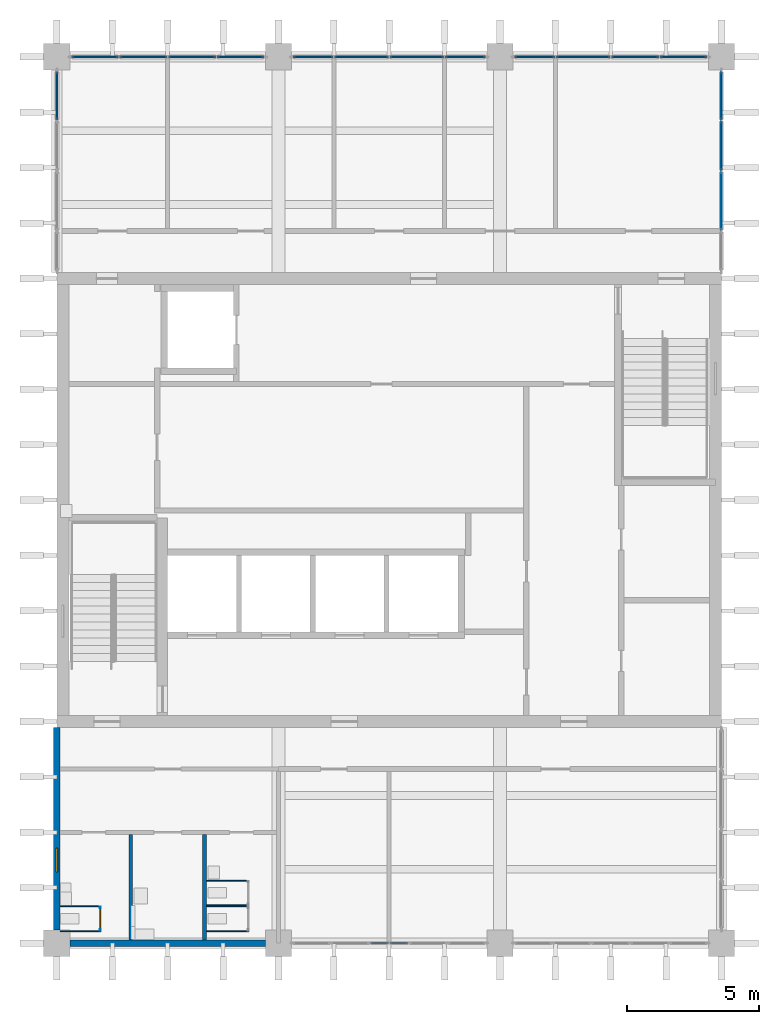
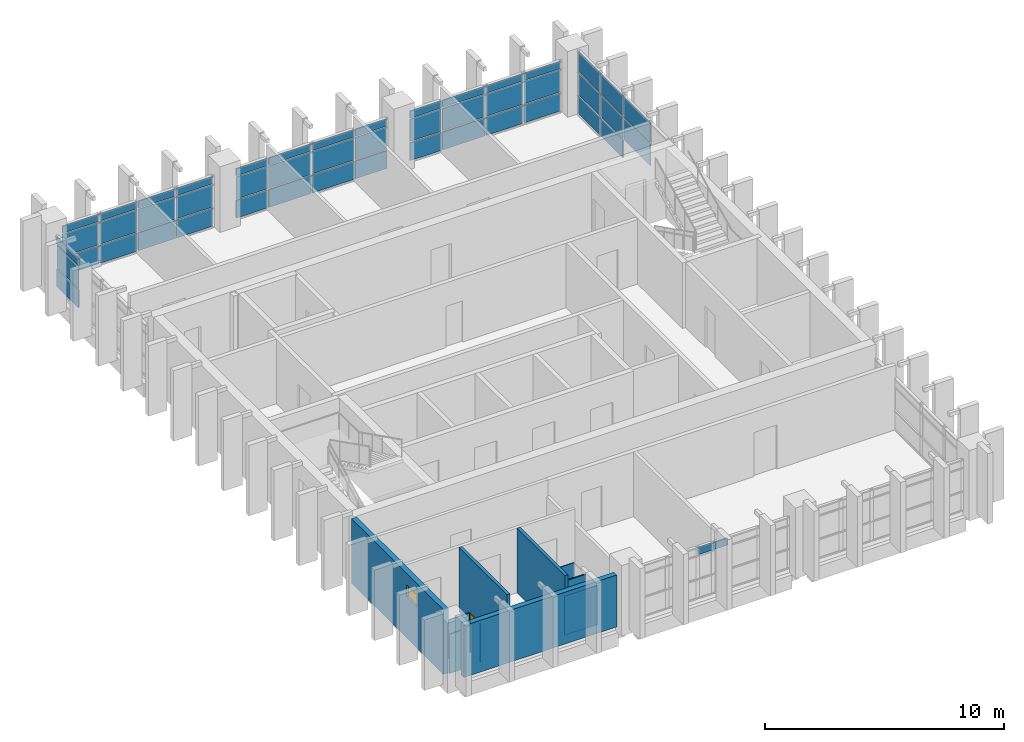
# One storey, part 6 of 11: 49 plates, 11 walls, 1 door, 1 window, 2 openings, 6 elements without a shape of their own.
"""IFC4 building model written with IfcOpenShell, lengths in metres."""

from ifc_helpers import new_model, si_unit, direction, frame, frame_2d, origin, origin_2d, place, context, subcontext, project, spatial, rectangle, extrude, material, layer, layer_set, type_object, element, fill, aggregate, save


model = new_model("IFC4")

# Units and contexts
model_context = context("Model", 3, precision=1e-05, world=origin(), true_north=direction((0.0, 1.0)))
body_context = subcontext(model_context, "Body", "Model", "MODEL_VIEW")
ifc_project = project(units=[si_unit("LENGTHUNIT", "METRE"), si_unit("AREAUNIT", "SQUARE_METRE"), si_unit("VOLUMEUNIT", "CUBIC_METRE"), si_unit("PLANEANGLEUNIT", "RADIAN"), si_unit("MASSUNIT", "GRAM", prefix="KILO")], contexts=[model_context])

# Site, building, storey
site_placement = place(None, origin())
site = spatial("IfcSite", under=ifc_project, at=site_placement, CompositionType="ELEMENT")
building_placement = place(site_placement, origin())
building = spatial("IfcBuilding", under=site, at=building_placement, Name="Rulbaag Community and Learning Centre", CompositionType="ELEMENT")
storey_placement = place(building_placement, frame((0.0, 0.0, 21.60009765625)))
storey = spatial("IfcBuildingStorey", under=building, at=storey_placement, Name="L05", CompositionType="ELEMENT", Elevation=21.60009765625)

# Curtain wall, plates
ifc_material_1 = material(Name="Aluminium", Category="aluminium")
ifc_layer_1 = layer(ifc_material_1, 0.14990234375)
ifc_layer_set_1 = layer_set([ifc_layer_1], Name="CW-S")
curtain_wall_type_1 = type_object("IfcCurtainWallType", Name="CW-S", PredefinedType="USERDEFINED", material=ifc_layer_set_1)
curtain_wall_1_placement = place(storey_placement, origin())
curtain_wall_1 = element("IfcCurtainWall", 1, at=curtain_wall_1_placement, inside=storey, type_object=curtain_wall_type_1, Name="GS-L05-01", ObjectType="UNITISED CURTAIN WALL", PredefinedType="USERDEFINED")
ifc_layer_2 = layer(ifc_material_1, 0.054931640625)
ifc_layer_set_2 = layer_set([ifc_layer_2], Name="CW-S-SPN")
plate_type_1 = type_object("IfcPlateType", Name="CW-S-SPN", PredefinedType="CURTAIN_PANEL", material=ifc_layer_set_2)
plate_1_placement = place(storey_placement, frame((155.030029296875, 84.0, 2.22998046875), z_axis=(0.0, 0.0, 1.0), x_axis=(1.0, 0.0, 0.0)))
plate_1 = element("IfcPlate", 2, at=plate_1_placement, type_object=plate_type_1, Name="GS spandrel panel", PredefinedType="CURTAIN_PANEL", context=body_context, shape_type="SweptSolid", body=[
    extrude(rectangle(XDim=0.679931640625, YDim=0.054931640625, at=origin_2d()), origin(), (0.0, 0.0, 1.0), 0.360107421875),
])
plate_2_placement = place(storey_placement, frame((155.77001953125, 84.0, 2.22998046875), z_axis=(0.0, 0.0, 1.0), x_axis=(1.0, 0.0, 0.0)))
plate_2 = element("IfcPlate", 3, at=plate_2_placement, type_object=plate_type_1, Name="GS spandrel panel", PredefinedType="CURTAIN_PANEL", context=body_context, shape_type="SweptSolid", body=[
    extrude(rectangle(XDim=0.679931640625, YDim=0.054931640625, at=origin_2d()), origin(), (0.0, 0.0, 1.0), 0.360107421875),
])
aggregate(curtain_wall_1, [plate_1, plate_2])

ifc_layer_3 = layer(ifc_material_1, 0.14990234375)
ifc_layer_set_3 = layer_set([ifc_layer_3], Name="CW-T")
curtain_wall_type_2 = type_object("IfcCurtainWallType", Name="CW-T", PredefinedType="USERDEFINED", material=ifc_layer_set_3)
curtain_wall_2_placement = place(storey_placement, origin())
curtain_wall_2 = element("IfcCurtainWall", 4, at=curtain_wall_2_placement, inside=storey, type_object=curtain_wall_type_2, Name="GT-L05-01", ObjectType="UNITISED CURTAIN WALL", PredefinedType="USERDEFINED")
ifc_layer_4 = layer(ifc_material_1, 0.06005859375)
ifc_layer_set_4 = layer_set([ifc_layer_4], Name="CW-T-SPN")
plate_type_2 = type_object("IfcPlateType", Name="CW-T-SPN", PredefinedType="CURTAIN_PANEL", material=ifc_layer_set_4)
plate_3_placement = place(storey_placement, frame((144.2412109375, 117.60009765625, 0.06494140625), z_axis=(0.0, 0.0, 1.0), x_axis=(1.0, 0.0, 0.0)))
plate_3 = element("IfcPlate", 5, at=plate_3_placement, type_object=plate_type_2, Name="GT spandrel panel", PredefinedType="CURTAIN_PANEL", context=body_context, shape_type="SweptSolid", body=[
    extrude(rectangle(XDim=1.75244140625, YDim=0.06005859375, at=origin_2d()), origin(), (0.0, 0.0, 1.0), 0.902587890625),
])
plate_4_placement = place(storey_placement, frame((144.2412109375, 117.60009765625, 2.232421875), z_axis=(0.0, 0.0, 1.0), x_axis=(1.0, 0.0, 0.0)))
plate_4 = element("IfcPlate", 6, at=plate_4_placement, type_object=plate_type_2, Name="GT spandrel panel", PredefinedType="CURTAIN_PANEL", context=body_context, shape_type="SweptSolid", body=[
    extrude(rectangle(XDim=1.75244140625, YDim=0.06005859375, at=origin_2d()), origin(), (0.0, 0.0, 1.0), 0.3525390625),
])
plate_5_placement = place(storey_placement, frame((146.074951171875, 117.60009765625, 0.06494140625), z_axis=(0.0, 0.0, 1.0), x_axis=(1.0, 0.0, 0.0)))
plate_5 = element("IfcPlate", 7, at=plate_5_placement, type_object=plate_type_2, Name="GT spandrel panel", PredefinedType="CURTAIN_PANEL", context=body_context, shape_type="SweptSolid", body=[
    extrude(rectangle(XDim=1.784912109375, YDim=0.06005859375, at=origin_2d()), origin(), (0.0, 0.0, 1.0), 0.902587890625),
])
plate_6_placement = place(storey_placement, frame((146.074951171875, 117.60009765625, 2.232421875), z_axis=(0.0, 0.0, 1.0), x_axis=(1.0, 0.0, 0.0)))
plate_6 = element("IfcPlate", 8, at=plate_6_placement, type_object=plate_type_2, Name="GT spandrel panel", PredefinedType="CURTAIN_PANEL", context=body_context, shape_type="SweptSolid", body=[
    extrude(rectangle(XDim=1.784912109375, YDim=0.06005859375, at=origin_2d()), origin(), (0.0, 0.0, 1.0), 0.3525390625),
])
plate_7_placement = place(storey_placement, frame((147.925048828125, 117.60009765625, 0.06494140625), z_axis=(0.0, 0.0, 1.0), x_axis=(1.0, 0.0, 0.0)))
plate_7 = element("IfcPlate", 9, at=plate_7_placement, type_object=plate_type_2, Name="GT spandrel panel", PredefinedType="CURTAIN_PANEL", context=body_context, shape_type="SweptSolid", body=[
    extrude(rectangle(XDim=1.784912109375, YDim=0.06005859375, at=origin_2d()), origin(), (0.0, 0.0, 1.0), 0.902587890625),
])
plate_8_placement = place(storey_placement, frame((147.925048828125, 117.60009765625, 2.232421875), z_axis=(0.0, 0.0, 1.0), x_axis=(1.0, 0.0, 0.0)))
plate_8 = element("IfcPlate", 10, at=plate_8_placement, type_object=plate_type_2, Name="GT spandrel panel", PredefinedType="CURTAIN_PANEL", context=body_context, shape_type="SweptSolid", body=[
    extrude(rectangle(XDim=1.784912109375, YDim=0.06005859375, at=origin_2d()), origin(), (0.0, 0.0, 1.0), 0.3525390625),
])
plate_9_placement = place(storey_placement, frame((149.7587890625, 117.60009765625, 0.06494140625), z_axis=(0.0, 0.0, 1.0), x_axis=(1.0, 0.0, 0.0)))
plate_9 = element("IfcPlate", 11, at=plate_9_placement, type_object=plate_type_2, Name="GT spandrel panel", PredefinedType="CURTAIN_PANEL", context=body_context, shape_type="SweptSolid", body=[
    extrude(rectangle(XDim=1.75244140625, YDim=0.06005859375, at=origin_2d()), origin(), (0.0, 0.0, 1.0), 0.902587890625),
])
plate_10_placement = place(storey_placement, frame((149.7587890625, 117.60009765625, 2.232421875), z_axis=(0.0, 0.0, 1.0), x_axis=(1.0, 0.0, 0.0)))
plate_10 = element("IfcPlate", 12, at=plate_10_placement, type_object=plate_type_2, Name="GT spandrel panel", PredefinedType="CURTAIN_PANEL", context=body_context, shape_type="SweptSolid", body=[
    extrude(rectangle(XDim=1.75244140625, YDim=0.06005859375, at=origin_2d()), origin(), (0.0, 0.0, 1.0), 0.3525390625),
])

curtain_wall_3_placement = place(storey_placement, origin())
curtain_wall_3 = element("IfcCurtainWall", 13, at=curtain_wall_3_placement, inside=storey, type_object=curtain_wall_type_2, Name="GT-L05-02", ObjectType="UNITISED CURTAIN WALL", PredefinedType="USERDEFINED")
plate_11_placement = place(storey_placement, frame((152.516357421875, 117.60009765625, 0.06494140625), z_axis=(0.0, 0.0, 1.0), x_axis=(1.0, 0.0, 0.0)))
plate_11 = element("IfcPlate", 14, at=plate_11_placement, type_object=plate_type_2, Name="GT spandrel panel", PredefinedType="CURTAIN_PANEL", context=body_context, shape_type="SweptSolid", body=[
    extrude(rectangle(XDim=1.50244140625, YDim=0.06005859375, at=origin_2d()), origin(), (0.0, 0.0, 1.0), 0.902587890625),
])
plate_12_placement = place(storey_placement, frame((152.516357421875, 117.60009765625, 2.232421875), z_axis=(0.0, 0.0, 1.0), x_axis=(1.0, 0.0, 0.0)))
plate_12 = element("IfcPlate", 15, at=plate_12_placement, type_object=plate_type_2, Name="GT spandrel panel", PredefinedType="CURTAIN_PANEL", context=body_context, shape_type="SweptSolid", body=[
    extrude(rectangle(XDim=1.50244140625, YDim=0.06005859375, at=origin_2d()), origin(), (0.0, 0.0, 1.0), 0.3525390625),
])
plate_13_placement = place(storey_placement, frame((154.35009765625, 117.60009765625, 0.06494140625), z_axis=(0.0, 0.0, 1.0), x_axis=(1.0, 0.0, 0.0)))
plate_13 = element("IfcPlate", 16, at=plate_13_placement, type_object=plate_type_2, Name="GT spandrel panel", PredefinedType="CURTAIN_PANEL", context=body_context, shape_type="SweptSolid", body=[
    extrude(rectangle(XDim=2.034912109375, YDim=0.06005859375, at=origin_2d()), origin(), (0.0, 0.0, 1.0), 0.902587890625),
])
plate_14_placement = place(storey_placement, frame((154.35009765625, 117.60009765625, 2.232421875), z_axis=(0.0, 0.0, 1.0), x_axis=(1.0, 0.0, 0.0)))
plate_14 = element("IfcPlate", 17, at=plate_14_placement, type_object=plate_type_2, Name="GT spandrel panel", PredefinedType="CURTAIN_PANEL", context=body_context, shape_type="SweptSolid", body=[
    extrude(rectangle(XDim=2.034912109375, YDim=0.06005859375, at=origin_2d()), origin(), (0.0, 0.0, 1.0), 0.3525390625),
])
plate_15_placement = place(storey_placement, frame((156.449951171875, 117.60009765625, 0.06494140625), z_axis=(0.0, 0.0, 1.0), x_axis=(1.0, 0.0, 0.0)))
plate_15 = element("IfcPlate", 18, at=plate_15_placement, type_object=plate_type_2, Name="GT spandrel panel", PredefinedType="CURTAIN_PANEL", context=body_context, shape_type="SweptSolid", body=[
    extrude(rectangle(XDim=2.034912109375, YDim=0.06005859375, at=origin_2d()), origin(), (0.0, 0.0, 1.0), 0.902587890625),
])
plate_16_placement = place(storey_placement, frame((156.449951171875, 117.60009765625, 2.232421875), z_axis=(0.0, 0.0, 1.0), x_axis=(1.0, 0.0, 0.0)))
plate_16 = element("IfcPlate", 19, at=plate_16_placement, type_object=plate_type_2, Name="GT spandrel panel", PredefinedType="CURTAIN_PANEL", context=body_context, shape_type="SweptSolid", body=[
    extrude(rectangle(XDim=2.034912109375, YDim=0.06005859375, at=origin_2d()), origin(), (0.0, 0.0, 1.0), 0.3525390625),
])
plate_17_placement = place(storey_placement, frame((158.28369140625, 117.60009765625, 0.06494140625), z_axis=(0.0, 0.0, 1.0), x_axis=(1.0, 0.0, 0.0)))
plate_17 = element("IfcPlate", 20, at=plate_17_placement, type_object=plate_type_2, Name="GT spandrel panel", PredefinedType="CURTAIN_PANEL", context=body_context, shape_type="SweptSolid", body=[
    extrude(rectangle(XDim=1.50244140625, YDim=0.06005859375, at=origin_2d()), origin(), (0.0, 0.0, 1.0), 0.902587890625),
])
plate_18_placement = place(storey_placement, frame((158.28369140625, 117.60009765625, 2.232421875), z_axis=(0.0, 0.0, 1.0), x_axis=(1.0, 0.0, 0.0)))
plate_18 = element("IfcPlate", 21, at=plate_18_placement, type_object=plate_type_2, Name="GT spandrel panel", PredefinedType="CURTAIN_PANEL", context=body_context, shape_type="SweptSolid", body=[
    extrude(rectangle(XDim=1.50244140625, YDim=0.06005859375, at=origin_2d()), origin(), (0.0, 0.0, 1.0), 0.3525390625),
])

curtain_wall_4_placement = place(storey_placement, origin())
curtain_wall_4 = element("IfcCurtainWall", 22, at=curtain_wall_4_placement, inside=storey, type_object=curtain_wall_type_2, Name="GT-L05-03", ObjectType="UNITISED CURTAIN WALL", PredefinedType="USERDEFINED")
plate_19_placement = place(storey_placement, frame((160.916259765625, 117.60009765625, 0.06494140625), z_axis=(0.0, 0.0, 1.0), x_axis=(1.0, 0.0, 0.0)))
plate_19 = element("IfcPlate", 23, at=plate_19_placement, type_object=plate_type_2, Name="GT spandrel panel", PredefinedType="CURTAIN_PANEL", context=body_context, shape_type="SweptSolid", body=[
    extrude(rectangle(XDim=1.50244140625, YDim=0.06005859375, at=origin_2d()), origin(), (0.0, 0.0, 1.0), 0.902587890625),
])
plate_20_placement = place(storey_placement, frame((160.916259765625, 117.60009765625, 2.232421875), z_axis=(0.0, 0.0, 1.0), x_axis=(1.0, 0.0, 0.0)))
plate_20 = element("IfcPlate", 24, at=plate_20_placement, type_object=plate_type_2, Name="GT spandrel panel", PredefinedType="CURTAIN_PANEL", context=body_context, shape_type="SweptSolid", body=[
    extrude(rectangle(XDim=1.50244140625, YDim=0.06005859375, at=origin_2d()), origin(), (0.0, 0.0, 1.0), 0.3525390625),
])
plate_21_placement = place(storey_placement, frame((162.75, 117.60009765625, 0.06494140625), z_axis=(0.0, 0.0, 1.0), x_axis=(1.0, 0.0, 0.0)))
plate_21 = element("IfcPlate", 25, at=plate_21_placement, type_object=plate_type_2, Name="GT spandrel panel", PredefinedType="CURTAIN_PANEL", context=body_context, shape_type="SweptSolid", body=[
    extrude(rectangle(XDim=2.034912109375, YDim=0.06005859375, at=origin_2d()), origin(), (0.0, 0.0, 1.0), 0.902587890625),
])
plate_22_placement = place(storey_placement, frame((162.75, 117.60009765625, 2.232421875), z_axis=(0.0, 0.0, 1.0), x_axis=(1.0, 0.0, 0.0)))
plate_22 = element("IfcPlate", 26, at=plate_22_placement, type_object=plate_type_2, Name="GT spandrel panel", PredefinedType="CURTAIN_PANEL", context=body_context, shape_type="SweptSolid", body=[
    extrude(rectangle(XDim=2.034912109375, YDim=0.06005859375, at=origin_2d()), origin(), (0.0, 0.0, 1.0), 0.3525390625),
])
plate_23_placement = place(storey_placement, frame((164.72509765625, 117.60009765625, 0.06494140625), z_axis=(0.0, 0.0, 1.0), x_axis=(1.0, 0.0, 0.0)))
plate_23 = element("IfcPlate", 27, at=plate_23_placement, type_object=plate_type_2, Name="GT spandrel panel", PredefinedType="CURTAIN_PANEL", context=body_context, shape_type="SweptSolid", body=[
    extrude(rectangle(XDim=1.784912109375, YDim=0.06005859375, at=origin_2d()), origin(), (0.0, 0.0, 1.0), 0.902587890625),
])
plate_24_placement = place(storey_placement, frame((164.72509765625, 117.60009765625, 2.232421875), z_axis=(0.0, 0.0, 1.0), x_axis=(1.0, 0.0, 0.0)))
plate_24 = element("IfcPlate", 28, at=plate_24_placement, type_object=plate_type_2, Name="GT spandrel panel", PredefinedType="CURTAIN_PANEL", context=body_context, shape_type="SweptSolid", body=[
    extrude(rectangle(XDim=1.784912109375, YDim=0.06005859375, at=origin_2d()), origin(), (0.0, 0.0, 1.0), 0.3525390625),
])
plate_25_placement = place(storey_placement, frame((166.558837890625, 117.60009765625, 0.06494140625), z_axis=(0.0, 0.0, 1.0), x_axis=(1.0, 0.0, 0.0)))
plate_25 = element("IfcPlate", 29, at=plate_25_placement, type_object=plate_type_2, Name="GT spandrel panel", PredefinedType="CURTAIN_PANEL", context=body_context, shape_type="SweptSolid", body=[
    extrude(rectangle(XDim=1.75244140625, YDim=0.06005859375, at=origin_2d()), origin(), (0.0, 0.0, 1.0), 0.902587890625),
])
plate_26_placement = place(storey_placement, frame((166.558837890625, 117.60009765625, 2.232421875), z_axis=(0.0, 0.0, 1.0), x_axis=(1.0, 0.0, 0.0)))
plate_26 = element("IfcPlate", 30, at=plate_26_placement, type_object=plate_type_2, Name="GT spandrel panel", PredefinedType="CURTAIN_PANEL", context=body_context, shape_type="SweptSolid", body=[
    extrude(rectangle(XDim=1.75244140625, YDim=0.06005859375, at=origin_2d()), origin(), (0.0, 0.0, 1.0), 0.3525390625),
])

curtain_wall_5_placement = place(storey_placement, origin())
curtain_wall_5 = element("IfcCurtainWall", 31, at=curtain_wall_5_placement, inside=storey, type_object=curtain_wall_type_2, Name="GT-L05-04", ObjectType="UNITISED CURTAIN WALL", PredefinedType="USERDEFINED")
plate_27_placement = place(storey_placement, frame((142.800048828125, 116.12744140625, 0.06494140625), z_axis=(0.0, 0.0, 1.0), x_axis=(0.0, 1.0, 0.0)))
plate_27 = element("IfcPlate", 32, at=plate_27_placement, type_object=plate_type_2, Name="GT spandrel panel", PredefinedType="CURTAIN_PANEL", context=body_context, shape_type="SweptSolid", body=[
    extrude(rectangle(XDim=1.81494140625, YDim=0.06005859375, at=origin_2d()), origin(), (0.0, 0.0, 1.0), 0.902587890625),
])
plate_28_placement = place(storey_placement, frame((142.800048828125, 116.12744140625, 2.232421875), z_axis=(0.0, 0.0, 1.0), x_axis=(0.0, 1.0, 0.0)))
plate_28 = element("IfcPlate", 33, at=plate_28_placement, type_object=plate_type_2, Name="GT spandrel panel", PredefinedType="CURTAIN_PANEL", context=body_context, shape_type="SweptSolid", body=[
    extrude(rectangle(XDim=1.81494140625, YDim=0.06005859375, at=origin_2d()), origin(), (0.0, 0.0, 1.0), 0.3525390625),
])

curtain_wall_6_placement = place(storey_placement, origin())
curtain_wall_6 = element("IfcCurtainWall", 34, at=curtain_wall_6_placement, inside=storey, type_object=curtain_wall_type_2, Name="GT-L05-06", ObjectType="UNITISED CURTAIN WALL", PredefinedType="USERDEFINED")
plate_29_placement = place(storey_placement, frame((168.0, 112.137451171875, 2.232421875), z_axis=(0.0, 0.0, 1.0), x_axis=(0.0, 1.0, 0.0)))
plate_29 = element("IfcPlate", 35, at=plate_29_placement, type_object=plate_type_2, Name="GT spandrel panel", PredefinedType="CURTAIN_PANEL", context=body_context, shape_type="SweptSolid", body=[
    extrude(rectangle(XDim=2.2099609375, YDim=0.06005859375, at=origin_2d()), origin(), (0.0, 0.0, 1.0), 1.00244140625),
])
plate_30_placement = place(storey_placement, frame((168.0, 114.231201171875, 0.06494140625), z_axis=(0.0, 0.0, 1.0), x_axis=(0.0, 1.0, 0.0)))
plate_30 = element("IfcPlate", 36, at=plate_30_placement, type_object=plate_type_2, Name="GT spandrel panel", PredefinedType="CURTAIN_PANEL", context=body_context, shape_type="SweptSolid", body=[
    extrude(rectangle(XDim=1.847412109375, YDim=0.06005859375, at=origin_2d()), origin(), (0.0, 0.0, 1.0), 0.902587890625),
])
plate_31_placement = place(storey_placement, frame((168.0, 114.231201171875, 2.232421875), z_axis=(0.0, 0.0, 1.0), x_axis=(0.0, 1.0, 0.0)))
plate_31 = element("IfcPlate", 37, at=plate_31_placement, type_object=plate_type_2, Name="GT spandrel panel", PredefinedType="CURTAIN_PANEL", context=body_context, shape_type="SweptSolid", body=[
    extrude(rectangle(XDim=1.847412109375, YDim=0.06005859375, at=origin_2d()), origin(), (0.0, 0.0, 1.0), 1.00244140625),
])
plate_32_placement = place(storey_placement, frame((168.0, 116.12744140625, 0.06494140625), z_axis=(0.0, 0.0, 1.0), x_axis=(0.0, 1.0, 0.0)))
plate_32 = element("IfcPlate", 38, at=plate_32_placement, type_object=plate_type_2, Name="GT spandrel panel", PredefinedType="CURTAIN_PANEL", context=body_context, shape_type="SweptSolid", body=[
    extrude(rectangle(XDim=1.81494140625, YDim=0.06005859375, at=origin_2d()), origin(), (0.0, 0.0, 1.0), 0.902587890625),
])
plate_33_placement = place(storey_placement, frame((168.0, 116.12744140625, 2.232421875), z_axis=(0.0, 0.0, 1.0), x_axis=(0.0, 1.0, 0.0)))
plate_33 = element("IfcPlate", 39, at=plate_33_placement, type_object=plate_type_2, Name="GT spandrel panel", PredefinedType="CURTAIN_PANEL", context=body_context, shape_type="SweptSolid", body=[
    extrude(rectangle(XDim=1.81494140625, YDim=0.06005859375, at=origin_2d()), origin(), (0.0, 0.0, 1.0), 1.00244140625),
])

# Plate
ifc_material_2 = material(Name="Glass", Category="glass")
ifc_layer_5 = layer(ifc_material_2, 0.028076171875)
ifc_layer_set_5 = layer_set([ifc_layer_5], Name="CW-T-VIS")
plate_type_3 = type_object("IfcPlateType", Name="CW-T-VIS", PredefinedType="CURTAIN_PANEL", material=ifc_layer_set_5)
plate_34_placement = place(storey_placement, frame((144.2412109375, 117.60009765625, 1.0322265625), z_axis=(0.0, 0.0, 1.0), x_axis=(1.0, 0.0, 0.0)))
plate_34 = element("IfcPlate", 40, at=plate_34_placement, type_object=plate_type_3, Name="GT vision panel", PredefinedType="CURTAIN_PANEL", context=body_context, shape_type="SweptSolid", body=[
    extrude(rectangle(XDim=1.75244140625, YDim=0.028076171875, at=origin_2d()), origin(), (0.0, 0.0, 1.0), 1.135009765625),
])

plate_35_placement = place(storey_placement, frame((146.074951171875, 117.60009765625, 1.0322265625), z_axis=(0.0, 0.0, 1.0), x_axis=(1.0, 0.0, 0.0)))
plate_35 = element("IfcPlate", 41, at=plate_35_placement, type_object=plate_type_3, Name="GT vision panel", PredefinedType="CURTAIN_PANEL", context=body_context, shape_type="SweptSolid", body=[
    extrude(rectangle(XDim=1.784912109375, YDim=0.028076171875, at=origin_2d()), origin(), (0.0, 0.0, 1.0), 1.135009765625),
])

plate_36_placement = place(storey_placement, frame((147.925048828125, 117.60009765625, 1.0322265625), z_axis=(0.0, 0.0, 1.0), x_axis=(1.0, 0.0, 0.0)))
plate_36 = element("IfcPlate", 42, at=plate_36_placement, type_object=plate_type_3, Name="GT vision panel", PredefinedType="CURTAIN_PANEL", context=body_context, shape_type="SweptSolid", body=[
    extrude(rectangle(XDim=1.784912109375, YDim=0.028076171875, at=origin_2d()), origin(), (0.0, 0.0, 1.0), 1.135009765625),
])

plate_37_placement = place(storey_placement, frame((149.7587890625, 117.60009765625, 1.0322265625), z_axis=(0.0, 0.0, 1.0), x_axis=(1.0, 0.0, 0.0)))
plate_37 = element("IfcPlate", 43, at=plate_37_placement, type_object=plate_type_3, Name="GT vision panel", PredefinedType="CURTAIN_PANEL", context=body_context, shape_type="SweptSolid", body=[
    extrude(rectangle(XDim=1.75244140625, YDim=0.028076171875, at=origin_2d()), origin(), (0.0, 0.0, 1.0), 1.135009765625),
])

aggregate(curtain_wall_2, [plate_3, plate_34, plate_4, plate_5, plate_35, plate_6, plate_7, plate_36, plate_8, plate_9, plate_37, plate_10])

plate_38_placement = place(storey_placement, frame((152.516357421875, 117.60009765625, 1.0322265625), z_axis=(0.0, 0.0, 1.0), x_axis=(1.0, 0.0, 0.0)))
plate_38 = element("IfcPlate", 44, at=plate_38_placement, type_object=plate_type_3, Name="GT vision panel", PredefinedType="CURTAIN_PANEL", context=body_context, shape_type="SweptSolid", body=[
    extrude(rectangle(XDim=1.50244140625, YDim=0.028076171875, at=origin_2d()), origin(), (0.0, 0.0, 1.0), 1.135009765625),
])

plate_39_placement = place(storey_placement, frame((154.35009765625, 117.60009765625, 1.0322265625), z_axis=(0.0, 0.0, 1.0), x_axis=(1.0, 0.0, 0.0)))
plate_39 = element("IfcPlate", 45, at=plate_39_placement, type_object=plate_type_3, Name="GT vision panel", PredefinedType="CURTAIN_PANEL", context=body_context, shape_type="SweptSolid", body=[
    extrude(rectangle(XDim=2.034912109375, YDim=0.028076171875, at=origin_2d()), origin(), (0.0, 0.0, 1.0), 1.135009765625),
])

plate_40_placement = place(storey_placement, frame((156.449951171875, 117.60009765625, 1.0322265625), z_axis=(0.0, 0.0, 1.0), x_axis=(1.0, 0.0, 0.0)))
plate_40 = element("IfcPlate", 46, at=plate_40_placement, type_object=plate_type_3, Name="GT vision panel", PredefinedType="CURTAIN_PANEL", context=body_context, shape_type="SweptSolid", body=[
    extrude(rectangle(XDim=2.034912109375, YDim=0.028076171875, at=origin_2d()), origin(), (0.0, 0.0, 1.0), 1.135009765625),
])

plate_41_placement = place(storey_placement, frame((158.28369140625, 117.60009765625, 1.0322265625), z_axis=(0.0, 0.0, 1.0), x_axis=(1.0, 0.0, 0.0)))
plate_41 = element("IfcPlate", 47, at=plate_41_placement, type_object=plate_type_3, Name="GT vision panel", PredefinedType="CURTAIN_PANEL", context=body_context, shape_type="SweptSolid", body=[
    extrude(rectangle(XDim=1.50244140625, YDim=0.028076171875, at=origin_2d()), origin(), (0.0, 0.0, 1.0), 1.135009765625),
])

aggregate(curtain_wall_3, [plate_11, plate_38, plate_12, plate_13, plate_39, plate_14, plate_15, plate_40, plate_16, plate_17, plate_41, plate_18])

plate_42_placement = place(storey_placement, frame((160.916259765625, 117.60009765625, 1.0322265625), z_axis=(0.0, 0.0, 1.0), x_axis=(1.0, 0.0, 0.0)))
plate_42 = element("IfcPlate", 48, at=plate_42_placement, type_object=plate_type_3, Name="GT vision panel", PredefinedType="CURTAIN_PANEL", context=body_context, shape_type="SweptSolid", body=[
    extrude(rectangle(XDim=1.50244140625, YDim=0.028076171875, at=origin_2d()), origin(), (0.0, 0.0, 1.0), 1.135009765625),
])

plate_43_placement = place(storey_placement, frame((162.75, 117.60009765625, 1.0322265625), z_axis=(0.0, 0.0, 1.0), x_axis=(1.0, 0.0, 0.0)))
plate_43 = element("IfcPlate", 49, at=plate_43_placement, type_object=plate_type_3, Name="GT vision panel", PredefinedType="CURTAIN_PANEL", context=body_context, shape_type="SweptSolid", body=[
    extrude(rectangle(XDim=2.034912109375, YDim=0.028076171875, at=origin_2d()), origin(), (0.0, 0.0, 1.0), 1.135009765625),
])

plate_44_placement = place(storey_placement, frame((164.72509765625, 117.60009765625, 1.0322265625), z_axis=(0.0, 0.0, 1.0), x_axis=(1.0, 0.0, 0.0)))
plate_44 = element("IfcPlate", 50, at=plate_44_placement, type_object=plate_type_3, Name="GT vision panel", PredefinedType="CURTAIN_PANEL", context=body_context, shape_type="SweptSolid", body=[
    extrude(rectangle(XDim=1.784912109375, YDim=0.028076171875, at=origin_2d()), origin(), (0.0, 0.0, 1.0), 1.135009765625),
])

plate_45_placement = place(storey_placement, frame((166.558837890625, 117.60009765625, 1.0322265625), z_axis=(0.0, 0.0, 1.0), x_axis=(1.0, 0.0, 0.0)))
plate_45 = element("IfcPlate", 51, at=plate_45_placement, type_object=plate_type_3, Name="GT vision panel", PredefinedType="CURTAIN_PANEL", context=body_context, shape_type="SweptSolid", body=[
    extrude(rectangle(XDim=1.75244140625, YDim=0.028076171875, at=origin_2d()), origin(), (0.0, 0.0, 1.0), 1.135009765625),
])

aggregate(curtain_wall_4, [plate_19, plate_42, plate_20, plate_21, plate_43, plate_22, plate_23, plate_44, plate_24, plate_25, plate_45, plate_26])

plate_46_placement = place(storey_placement, frame((142.800048828125, 116.12744140625, 1.0322265625), z_axis=(0.0, 0.0, 1.0), x_axis=(0.0, 1.0, 0.0)))
plate_46 = element("IfcPlate", 52, at=plate_46_placement, type_object=plate_type_3, Name="GT vision panel", PredefinedType="CURTAIN_PANEL", context=body_context, shape_type="SweptSolid", body=[
    extrude(rectangle(XDim=1.81494140625, YDim=0.028076171875, at=origin_2d()), origin(), (0.0, 0.0, 1.0), 1.135009765625),
])

aggregate(curtain_wall_5, [plate_27, plate_46, plate_28])

plate_47_placement = place(storey_placement, frame((168.0, 112.137451171875, 1.0322265625), z_axis=(0.0, 0.0, 1.0), x_axis=(0.0, 1.0, 0.0)))
plate_47 = element("IfcPlate", 53, at=plate_47_placement, type_object=plate_type_3, Name="GT vision panel", PredefinedType="CURTAIN_PANEL", context=body_context, shape_type="SweptSolid", body=[
    extrude(rectangle(XDim=2.2099609375, YDim=0.028076171875, at=origin_2d()), origin(), (0.0, 0.0, 1.0), 1.135009765625),
])

plate_48_placement = place(storey_placement, frame((168.0, 114.231201171875, 1.0322265625), z_axis=(0.0, 0.0, 1.0), x_axis=(0.0, 1.0, 0.0)))
plate_48 = element("IfcPlate", 54, at=plate_48_placement, type_object=plate_type_3, Name="GT vision panel", PredefinedType="CURTAIN_PANEL", context=body_context, shape_type="SweptSolid", body=[
    extrude(rectangle(XDim=1.847412109375, YDim=0.028076171875, at=origin_2d()), origin(), (0.0, 0.0, 1.0), 1.135009765625),
])

plate_49_placement = place(storey_placement, frame((168.0, 116.12744140625, 1.0322265625), z_axis=(0.0, 0.0, 1.0), x_axis=(0.0, 1.0, 0.0)))
plate_49 = element("IfcPlate", 55, at=plate_49_placement, type_object=plate_type_3, Name="GT vision panel", PredefinedType="CURTAIN_PANEL", context=body_context, shape_type="SweptSolid", body=[
    extrude(rectangle(XDim=1.81494140625, YDim=0.028076171875, at=origin_2d()), origin(), (0.0, 0.0, 1.0), 1.135009765625),
])

aggregate(curtain_wall_6, [plate_47, plate_29, plate_30, plate_48, plate_31, plate_32, plate_49, plate_33])

# Walls
ifc_material_3 = material(Name="High pressure laminate", Category="wood")
ifc_layer_6 = layer(ifc_material_3, 0.0400390625)
ifc_layer_set_6 = layer_set([ifc_layer_6], Name="CP-40")
wall_type_1 = type_object("IfcWallType", Name="CP-40", PredefinedType="PARTITIONING", material=ifc_layer_set_6)
wall_1_placement = place(storey_placement, frame((142.929931640625, 84.449951171875, 0.0), z_axis=(0.0, 0.0, 1.0), x_axis=(1.0, 0.0, 0.0)))
element("IfcWall", 56, at=wall_1_placement, inside=storey, type_object=wall_type_1, Name="Cubicle partition", PredefinedType="PARTITIONING", context=body_context, shape_type="SweptSolid", body=[
    extrude(rectangle(XDim=1.5400390625, YDim=0.0400390625, at=frame_2d((0.77001953125, 0.0))), origin(), (0.0, 0.0, 1.0), 2.0),
])
wall_2_placement = place(storey_placement, frame((142.925048828125, 85.389892578125, 0.0), z_axis=(0.0, 0.0, 1.0), x_axis=(1.0, 0.0, 0.0)))
element("IfcWall", 57, at=wall_2_placement, inside=storey, type_object=wall_type_1, Name="Cubicle partition", PredefinedType="PARTITIONING", context=body_context, shape_type="SweptSolid", body=[
    extrude(rectangle(XDim=1.544921875, YDim=0.0400390625, at=frame_2d((0.7724609375, 0.0))), origin(), (0.0, 0.0, 1.0), 2.0),
])

# Wall, opening, door
wall_3_placement = place(storey_placement, frame((144.449951171875, 84.469970703125, 0.0), z_axis=(0.0, 0.0, 1.0), x_axis=(0.0, 1.0, 0.0)))
wall_3 = element("IfcWall", 58, at=wall_3_placement, inside=storey, type_object=wall_type_1, Name="Cubicle partition", PredefinedType="PARTITIONING", context=body_context, shape_type="SweptSolid", body=[
    extrude(rectangle(XDim=0.900146484375, YDim=0.0400390625, at=frame_2d((0.4501953125, 0.0))), origin(), (0.0, 0.0, 1.0), 2.0),
])
opening_1_placement = place(wall_3_placement, frame((0.050048828125, 0.0, 0.0)))
opening_1 = element("IfcOpeningElement", 59, at=opening_1_placement, cuts=wall_3, Name="Opening L05-D002", PredefinedType="OPENING", context=body_context, shape_type="SweptSolid", body=[
    extrude(rectangle(XDim=0.800048828125, YDim=2.0, at=frame_2d((0.39990234375, 1.0))), frame((0.0, 0.030029296875, 0.0), z_axis=(0.0, -1.0, 0.0), x_axis=(1.0, 0.0, 0.0)), (0.0, 0.0, 1.0), 0.06005859375),
])
door_type = type_object("IfcDoorType", Name="DC-80", OperationType="SINGLE_SWING_LEFT", PredefinedType="DOOR", material=ifc_material_3)
door_placement = place(opening_1_placement, origin())
door = element("IfcDoor", 60, at=door_placement, inside=storey, type_object=door_type, Name="Cubicle door", OperationType="SINGLE_SWING_LEFT", OverallHeight=2.0, OverallWidth=0.800048828125, PredefinedType="DOOR", context=body_context, shape_type="SweptSolid", body=[
    extrude(rectangle(XDim=0.800048828125, YDim=2.0, at=frame_2d((0.39990234375, 1.0))), frame((0.0, 0.019775390625, 0.0), z_axis=(0.0, -1.0, 0.0), x_axis=(1.0, 0.0, 0.0)), (0.0, 0.0, 1.0), 0.03955078125),
])
fill(opening_1, door)

# Walls
for number, where, z_axis, x_axis, name in (
    (61, (148.47509765625, 84.449951171875, 0.0), (0.0, 0.0, 1.0), (1.0, 0.0, 0.0), "Cubicle partition"),
    (62, (148.47509765625, 85.389892578125, 0.0), (0.0, 0.0, 1.0), (1.0, 0.0, 0.0), "Cubicle partition"),
    (63, (148.47509765625, 85.429931640625, 0.0), (0.0, 0.0, 1.0), (1.0, 0.0, 0.0), "Cubicle partition"),
    (64, (148.47509765625, 86.3701171875, 0.0), (0.0, 0.0, 1.0), (1.0, 0.0, 0.0), "Cubicle partition"),
):
    element("IfcWall", number, at=place(storey_placement, frame(where, z_axis=z_axis, x_axis=x_axis)), inside=storey, type_object=wall_type_1, Name=name, PredefinedType="PARTITIONING", context=body_context, shape_type="SweptSolid", body=[
        extrude(rectangle(XDim=1.594970703125, YDim=0.0400390625, at=frame_2d((0.79736328125, 0.0))), origin(), (0.0, 0.0, 1.0), 2.0),
    ])
ifc_material_4 = material(Name="Concrete M40", Category="concrete")
ifc_layer_7 = layer(ifc_material_4, 0.25)
ifc_layer_set_7 = layer_set([ifc_layer_7], Name="EW-CONC250")
wall_type_2 = type_object("IfcWallType", Name="EW-CONC250", PredefinedType="STANDARD", material=ifc_layer_set_7)
wall_4_placement = place(storey_placement, frame((143.300048828125, 84.0, 0.0), z_axis=(0.0, 0.0, 1.0), x_axis=(1.0, 0.0, 0.0)))
element("IfcWall", 65, at=wall_4_placement, inside=storey, type_object=wall_type_2, Name="Board-marked concrete cladding wall BS", PredefinedType="STANDARD", context=body_context, shape_type="SweptSolid", body=[
    extrude(rectangle(XDim=7.39990234375, YDim=0.25, at=frame_2d((3.699951171875, 0.0))), origin(), (0.0, 0.0, 1.0), 2.64990234375),
])

# Wall, opening, window
wall_5_placement = place(storey_placement, frame((142.800048828125, 84.5, 0.0), z_axis=(0.0, 0.0, 1.0), x_axis=(0.0, 1.0, 0.0)))
wall_5 = element("IfcWall", 66, at=wall_5_placement, inside=storey, type_object=wall_type_2, Name="Board-marked concrete cladding wall BW", PredefinedType="STANDARD", context=body_context, shape_type="SweptSolid", body=[
    extrude(rectangle(XDim=7.675048828125, YDim=0.25, at=frame_2d((3.83740234375, 0.0))), origin(), (0.0, 0.0, 1.0), 3.2998046875),
])
opening_2_placement = place(wall_5_placement, frame((2.199951171875, 0.0, 2.10009765625)))
opening_2 = element("IfcOpeningElement", 67, at=opening_2_placement, cuts=wall_5, Name="Opening WN5", PredefinedType="OPENING", context=body_context, shape_type="SweptSolid", body=[
    extrude(rectangle(XDim=0.89990234375, YDim=0.60009765625, at=frame_2d((0.449951171875, 0.300048828125))), frame((0.0, 0.135009765625, 0.0), z_axis=(0.0, -1.0, 0.0), x_axis=(1.0, 0.0, 0.0)), (0.0, 0.0, 1.0), 0.27001953125),
])
window_type = type_object("IfcWindowType", Name="WK-09", PartitioningType="SINGLE_PANEL", PredefinedType="WINDOW", material=ifc_material_1)
window_placement = place(opening_2_placement, origin())
window = element("IfcWindow", 68, at=window_placement, inside=storey, type_object=window_type, Name="Window WN5", OverallHeight=0.60009765625, OverallWidth=0.89990234375, PartitioningType="SINGLE_PANEL", PredefinedType="WINDOW", context=body_context, shape_type="SweptSolid", body=[
    extrude(rectangle(XDim=0.89990234375, YDim=0.60009765625, at=frame_2d((0.449951171875, 0.300048828125))), frame((0.0, 0.030029296875, 0.0), z_axis=(0.0, -1.0, 0.0), x_axis=(1.0, 0.0, 0.0)), (0.0, 0.0, 1.0), 0.06005859375),
])
fill(opening_2, window)

# Walls
ifc_material_5 = material(Name="Concrete blockwork", Category="masonry")
ifc_layer_8 = layer(ifc_material_5, 0.14990234375)
ifc_layer_set_8 = layer_set([ifc_layer_8], Name="IP-150 PARTITION 150")
wall_type_3 = type_object("IfcWallType", Name="IP-150 PARTITION 150", PredefinedType="PARTITIONING", material=ifc_layer_set_8)
for number, where, z_axis, x_axis, name in (
    (69, (145.60009765625, 84.125, 0.0), (0.0, 0.0, 1.0), (0.0, 1.0, 0.0), "Partition L05 11"),
    (70, (148.39990234375, 84.125, 0.0), (0.0, 0.0, 1.0), (0.0, 1.0, 0.0), "Partition L05 15"),
):
    element("IfcWall", number, at=place(storey_placement, frame(where, z_axis=z_axis, x_axis=x_axis)), inside=storey, type_object=wall_type_3, Name=name, PredefinedType="PARTITIONING", context=body_context, shape_type="SweptSolid", body=[
        extrude(rectangle(XDim=4.0, YDim=0.14990234375, at=frame_2d((2.0, 0.0))), origin(), (0.0, 0.0, 1.0), 3.2998046875),
    ])

save(model, "model.ifc")
